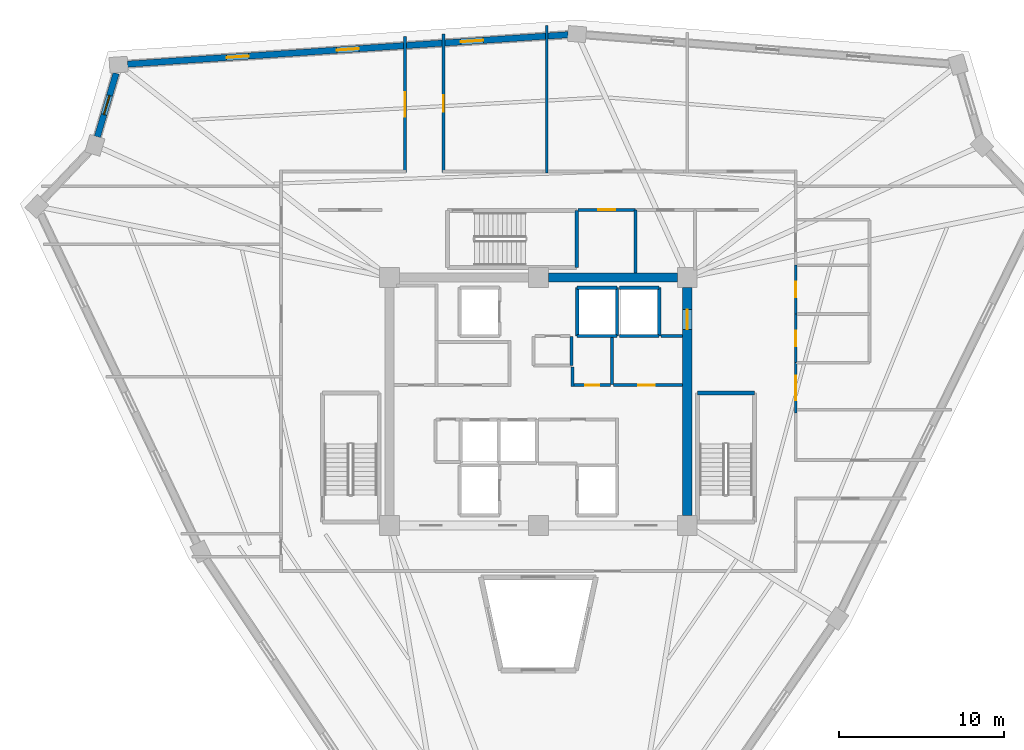
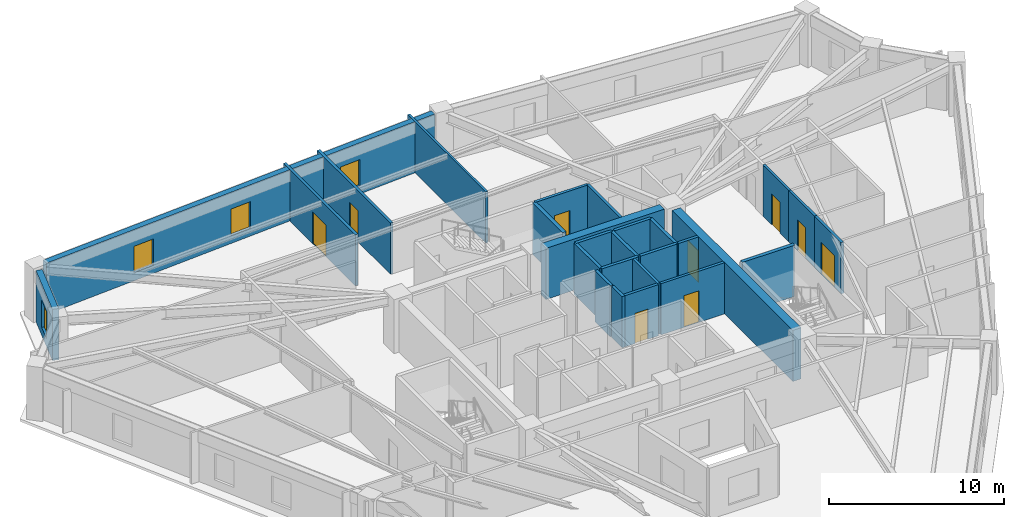
# One storey, part 6 of 8: 27 walls, 9 doors, 4 windows, 13 openings.
"""IFC4 building model written with IfcOpenShell, lengths in metres."""

from ifc_helpers import new_model, si_unit, direction, frame, frame_2d, origin, place, context, subcontext, project, spatial, rectangle, extrude, source, transform, mapped, material, layer, layer_set, type_object, element, fill, save


model = new_model("IFC4")

# Units and contexts
model_context = context("Model", 3, precision=1e-05, world=origin(), true_north=direction((0.0, 1.0)))
body_context = subcontext(model_context, "Body", "Model", "MODEL_VIEW")
ifc_project = project(units=[si_unit("LENGTHUNIT", "METRE"), si_unit("AREAUNIT", "SQUARE_METRE"), si_unit("VOLUMEUNIT", "CUBIC_METRE"), si_unit("PLANEANGLEUNIT", "RADIAN"), si_unit("MASSUNIT", "GRAM", prefix="KILO")], contexts=[model_context])

# Site, building, storey
site_placement = place(None, origin())
site = spatial("IfcSite", under=ifc_project, at=site_placement, CompositionType="ELEMENT")
building_placement = place(site_placement, origin())
building = spatial("IfcBuilding", under=site, at=building_placement, Name="Liaohun Quay Tower", CompositionType="ELEMENT")
storey_placement = place(building_placement, frame((0.0, 0.0, 301.5)))
storey = spatial("IfcBuildingStorey", under=building, at=storey_placement, Name="L78", CompositionType="ELEMENT", Elevation=301.5)

# Wall
ifc_material_1 = material(Name="Concrete C50", Category="concrete")
ifc_layer_1 = layer(ifc_material_1, 0.550048828125, Name="Concrete C50", Category="concrete")
ifc_layer_set_1 = layer_set([ifc_layer_1], Name="Concrete C50")
wall_type_1 = type_object("IfcWallType", Name="WAL-COR-Z4", PredefinedType="SHEAR", material=ifc_layer_set_1)
wall_1_placement = place(storey_placement, frame((60.60009765625, 61.5, 0.0), z_axis=(0.0, 0.0, 1.0), x_axis=(1.0, 0.0, 0.0)))
element("IfcWall", 1, at=wall_1_placement, inside=storey, type_object=wall_type_1, Name="L78 Central Core Shear Wall N-E", PredefinedType="SHEAR", context=body_context, shape_type="SweptSolid", body=[
    extrude(rectangle(XDim=7.7998046875, YDim=0.550048828125, at=frame_2d((3.89990234375, 0.0))), origin(), (0.0, 0.0, 1.0), 3.570068359375),
])

# Wall, opening, door
wall_2_placement = place(storey_placement, frame((69.0, 60.89990234375, 0.0), z_axis=(0.0, 0.0, 1.0), x_axis=(0.0, -1.0, 0.0)))
wall_2 = element("IfcWall", 2, at=wall_2_placement, inside=storey, type_object=wall_type_1, Name="L78 Central Core Shear Wall E", PredefinedType="SHEAR", context=body_context, shape_type="SweptSolid", body=[
    extrude(rectangle(XDim=13.7998046875, YDim=0.550048828125, at=frame_2d((6.89990234375, 0.0))), origin(), (0.0, 0.0, 1.0), 3.570068359375),
])
shared_shape_1 = source(origin(), body_context, "Body", "SweptSolid", [
    extrude(rectangle(XDim=1.199951171875, YDim=2.199951171875, at=frame_2d((0.60009765625, 1.10009765625))), frame((0.0, 0.284912109375, 0.0), z_axis=(0.0, -1.0, 0.0), x_axis=(1.0, 0.0, 0.0)), (0.0, 0.0, 1.0), 0.570068359375),
])
opening_1_placement = place(wall_2_placement, frame((1.35009765625, 0.0, 0.0)))
opening_1 = element("IfcOpeningElement", 3, at=opening_1_placement, cuts=wall_2, Name="Opening SD1", PredefinedType="OPENING", context=body_context, shape_type="MappedRepresentation", body=[
    mapped(shared_shape_1, transform((0.0, 0.0, 0.0), x_axis=(1.0, 0.0, 0.0), y_axis=(0.0, 1.0, 0.0), z_axis=(0.0, 0.0, 1.0), scale=1.0)),
])
ifc_material_2 = material(Name="Galvanised steel fire door", Category="steel")
door_type_1 = type_object("IfcDoorType", Name="DOR-STR-1200", OperationType="NOTDEFINED", PredefinedType="DOOR", material=ifc_material_2)
shared_shape_2 = source(origin(), body_context, "Body", "SweptSolid", [
    extrude(rectangle(XDim=1.199951171875, YDim=2.199951171875, at=frame_2d((0.60009765625, 1.10009765625))), frame((0.0, 0.02490234375, 0.0), z_axis=(0.0, -1.0, 0.0), x_axis=(1.0, 0.0, 0.0)), (0.0, 0.0, 1.0), 0.050048828125),
])
door_1_placement = place(opening_1_placement, origin())
door_1 = element("IfcDoor", 4, at=door_1_placement, inside=storey, type_object=door_type_1, Name="L78 North-East Core Lobby Smokeproof Door", OperationType="SINGLE_SWING_LEFT", OverallHeight=2.199951171875, OverallWidth=1.199951171875, PredefinedType="DOOR", context=body_context, shape_type="MappedRepresentation", body=[
    mapped(shared_shape_2, transform((0.0, 0.0, 0.0), x_axis=(1.0, 0.0, 0.0), y_axis=(0.0, 1.0, 0.0), z_axis=(0.0, 0.0, 1.0), scale=1.0)),
])
fill(opening_1, door_1)

# Wall, openings, windows
ifc_material_3 = material(Name="Precast concrete C50 insulated sandwich", Category="concrete")
ifc_layer_2 = layer(ifc_material_3, 0.3798828125, Name="Precast concrete C50 insulated sandwich", Category="concrete")
ifc_layer_set_2 = layer_set([ifc_layer_2], Name="Precast concrete C50 insulated sandwich")
wall_type_2 = type_object("IfcWallType", Name="WAL-EXT-Z34", PredefinedType="SOLIDWALL", material=ifc_layer_set_2)
wall_3_placement = place(storey_placement, frame((61.797119140625, 76.169921875, 0.0), z_axis=(0.0, 0.0, 1.0), x_axis=(-0.99777170169, -0.066720546358, 0.0)))
wall_3 = element("IfcWall", 5, at=wall_3_placement, inside=storey, type_object=wall_type_2, Name="L78 Brutalist Precast Pier Wall 07", PredefinedType="SOLIDWALL", context=body_context, shape_type="SweptSolid", body=[
    extrude(rectangle(XDim=26.693603515625, YDim=0.3798828125, at=frame_2d((13.3466796875, 0.0))), origin(), (0.0, 0.0, 1.0), 3.570068359375),
])
shared_shape_3 = source(origin(), body_context, "Body", "SweptSolid", [
    extrude(rectangle(XDim=1.35009765625, YDim=1.85009765625, at=frame_2d((0.675048828125, 0.925048828125))), frame((0.0, 0.199951171875, 0.0), z_axis=(0.0, -1.0, 0.0), x_axis=(1.0, 0.0, 0.0)), (0.0, 0.0, 1.0), 0.39990234375),
])
opening_2_placement = place(wall_3_placement, frame((5.14794921875, 0.0, 0.550048828125)))
opening_2 = element("IfcOpeningElement", 6, at=opening_2_placement, cuts=wall_3, Name="Opening W04", PredefinedType="OPENING", context=body_context, shape_type="MappedRepresentation", body=[
    mapped(shared_shape_3, transform((0.0, 0.0, 0.0), x_axis=(1.0, 0.0, 0.0), y_axis=(0.0, 1.0, 0.0), z_axis=(0.0, 0.0, 1.0), scale=1.0)),
])
opening_3_placement = place(wall_3_placement, frame((12.672119140625, 0.0, 0.550048828125)))
opening_3 = element("IfcOpeningElement", 7, at=opening_3_placement, cuts=wall_3, Name="Opening W04", PredefinedType="OPENING", context=body_context, shape_type="MappedRepresentation", body=[
    mapped(shared_shape_3, transform((0.0, 0.0, 0.0), x_axis=(1.0, 0.0, 0.0), y_axis=(0.0, 1.0, 0.0), z_axis=(0.0, 0.0, 1.0), scale=1.0)),
])
opening_4_placement = place(wall_3_placement, frame((19.344970703125, 0.0, 0.550048828125)))
opening_4 = element("IfcOpeningElement", 8, at=opening_4_placement, cuts=wall_3, Name="Opening W04", PredefinedType="OPENING", context=body_context, shape_type="MappedRepresentation", body=[
    mapped(shared_shape_3, transform((0.0, 0.0, 0.0), x_axis=(1.0, 0.0, 0.0), y_axis=(0.0, 1.0, 0.0), z_axis=(0.0, 0.0, 1.0), scale=1.0)),
])
ifc_material_4 = material(Name="Triple Low-E argon glazing in thermally broken aluminium", Category="aluminium")
window_type_1 = type_object("IfcWindowType", Name="WIN-PUN-Z4", PartitioningType="SINGLE_PANEL", PredefinedType="WINDOW", material=ifc_material_4)
shared_shape_4 = source(origin(), body_context, "Body", "SweptSolid", [
    extrude(rectangle(XDim=1.35009765625, YDim=1.85009765625, at=frame_2d((0.675048828125, 0.925048828125))), frame((0.0, 0.030029296875, 0.0), z_axis=(0.0, -1.0, 0.0), x_axis=(1.0, 0.0, 0.0)), (0.0, 0.0, 1.0), 0.06005859375),
])
window_1_placement = place(opening_2_placement, origin())
window_1 = element("IfcWindow", 9, at=window_1_placement, inside=storey, type_object=window_type_1, Name="L78 Recessed Cold-Climate Punched Window 07-1", OverallHeight=1.85009765625, OverallWidth=1.35009765625, PartitioningType="SINGLE_PANEL", PredefinedType="WINDOW", context=body_context, shape_type="MappedRepresentation", body=[
    mapped(shared_shape_4, transform((0.0, 0.0, 0.0), x_axis=(1.0, 0.0, 0.0), y_axis=(0.0, 1.0, 0.0), z_axis=(0.0, 0.0, 1.0), scale=1.0)),
])
fill(opening_2, window_1)
window_2_placement = place(opening_3_placement, origin())
window_2 = element("IfcWindow", 10, at=window_2_placement, inside=storey, type_object=window_type_1, Name="L78 Recessed Cold-Climate Punched Window 07-2", OverallHeight=1.85009765625, OverallWidth=1.35009765625, PartitioningType="SINGLE_PANEL", PredefinedType="WINDOW", context=body_context, shape_type="MappedRepresentation", body=[
    mapped(shared_shape_4, transform((0.0, 0.0, 0.0), x_axis=(1.0, 0.0, 0.0), y_axis=(0.0, 1.0, 0.0), z_axis=(0.0, 0.0, 1.0), scale=1.0)),
])
fill(opening_3, window_2)
window_3_placement = place(opening_4_placement, origin())
window_3 = element("IfcWindow", 11, at=window_3_placement, inside=storey, type_object=window_type_1, Name="L78 Recessed Cold-Climate Punched Window 07-3", OverallHeight=1.85009765625, OverallWidth=1.35009765625, PartitioningType="SINGLE_PANEL", PredefinedType="WINDOW", context=body_context, shape_type="MappedRepresentation", body=[
    mapped(shared_shape_4, transform((0.0, 0.0, 0.0), x_axis=(1.0, 0.0, 0.0), y_axis=(0.0, 1.0, 0.0), z_axis=(0.0, 0.0, 1.0), scale=1.0)),
])
fill(opening_4, window_3)

# Wall, opening, window
wall_4_placement = place(storey_placement, frame((34.470947265625, 73.8349609375, 0.0), z_axis=(0.0, 0.0, 1.0), x_axis=(-0.282483550301, -0.959272142726, 0.0)))
wall_4 = element("IfcWall", 12, at=wall_4_placement, inside=storey, type_object=wall_type_2, Name="L78 Brutalist Precast Pier Wall 08", PredefinedType="SOLIDWALL", context=body_context, shape_type="SweptSolid", body=[
    extrude(rectangle(XDim=3.999755859375, YDim=0.3798828125, at=frame_2d((2.0, 0.0))), origin(), (0.0, 0.0, 1.0), 3.570068359375),
])
shared_shape_5 = source(origin(), body_context, "Body", "SweptSolid", [
    extrude(rectangle(XDim=1.199951171875, YDim=1.89990234375, at=frame_2d((0.60009765625, 0.949951171875))), frame((0.0, 0.199951171875, 0.0), z_axis=(0.0, -1.0, 0.0), x_axis=(1.0, 0.0, 0.0)), (0.0, 0.0, 1.0), 0.39990234375),
])
opening_5_placement = place(wall_4_placement, frame((1.39990234375, 0.0, 0.550048828125)))
opening_5 = element("IfcOpeningElement", 13, at=opening_5_placement, cuts=wall_4, Name="Opening W05", PredefinedType="OPENING", context=body_context, shape_type="MappedRepresentation", body=[
    mapped(shared_shape_5, transform((0.0, 0.0, 0.0), x_axis=(1.0, 0.0, 0.0), y_axis=(0.0, 1.0, 0.0), z_axis=(0.0, 0.0, 1.0), scale=1.0)),
])
ifc_material_5 = material(Name="Triple Low-E corner notch glazing", Category="glass")
window_type_2 = type_object("IfcWindowType", Name="WIN-NOTCH", PartitioningType="SINGLE_PANEL", PredefinedType="WINDOW", material=ifc_material_5)
shared_shape_6 = source(origin(), body_context, "Body", "SweptSolid", [
    extrude(rectangle(XDim=1.199951171875, YDim=1.89990234375, at=frame_2d((0.60009765625, 0.949951171875))), frame((0.0, 0.030029296875, 0.0), z_axis=(0.0, -1.0, 0.0), x_axis=(1.0, 0.0, 0.0)), (0.0, 0.0, 1.0), 0.06005859375),
])
window_4_placement = place(opening_5_placement, origin())
window_4 = element("IfcWindow", 14, at=window_4_placement, inside=storey, type_object=window_type_2, Name="L78 Corner Notch Window W05-08", OverallHeight=1.89990234375, OverallWidth=1.199951171875, PartitioningType="SINGLE_PANEL", PredefinedType="WINDOW", context=body_context, shape_type="MappedRepresentation", body=[
    mapped(shared_shape_6, transform((0.0, 0.0, 0.0), x_axis=(1.0, 0.0, 0.0), y_axis=(0.0, 1.0, 0.0), z_axis=(0.0, 0.0, 1.0), scale=1.0)),
])
fill(opening_5, window_4)

# Wall, opening, door
ifc_material_6 = material(Name="Autoclaved aerated concrete blockwork", Category="masonry")
ifc_layer_3 = layer(ifc_material_6, 0.179931640625, Name="Autoclaved aerated concrete blockwork", Category="masonry")
ifc_layer_set_3 = layer_set([ifc_layer_3], Name="Autoclaved aerated concrete blockwork")
wall_type_3 = type_object("IfcWallType", Name="WAL-PRT-COR", PredefinedType="PARTITIONING", material=ifc_layer_set_3)
wall_5_placement = place(storey_placement, frame((62.139892578125, 54.97998046875, 0.0), z_axis=(0.0, 0.0, 1.0), x_axis=(1.0, 0.0, 0.0)))
wall_5 = element("IfcWall", 15, at=wall_5_placement, inside=storey, type_object=wall_type_3, Name="L78 Interior Partition Wall 004", PredefinedType="PARTITIONING", context=body_context, shape_type="SweptSolid", body=[
    extrude(rectangle(XDim=2.22021484375, YDim=0.179931640625, at=frame_2d((1.110107421875, 0.0))), origin(), (0.0, 0.0, 1.0), 3.570068359375),
])
shared_shape_7 = source(origin(), body_context, "Body", "SweptSolid", [
    extrude(rectangle(XDim=0.85009765625, YDim=2.10009765625, at=frame_2d((0.425048828125, 1.050048828125))), frame((0.0, 0.099853515625, 0.0), z_axis=(0.0, -1.0, 0.0), x_axis=(1.0, 0.0, 0.0)), (0.0, 0.0, 1.0), 0.199951171875),
])
opening_6_placement = place(wall_5_placement, frame((0.68505859375, 0.0, 0.0)))
opening_6 = element("IfcOpeningElement", 16, at=opening_6_placement, cuts=wall_5, Name="Opening AD1", PredefinedType="OPENING", context=body_context, shape_type="MappedRepresentation", body=[
    mapped(shared_shape_7, transform((0.0, 0.0, 0.0), x_axis=(1.0, 0.0, 0.0), y_axis=(0.0, 1.0, 0.0), z_axis=(0.0, 0.0, 1.0), scale=1.0)),
])
ifc_material_7 = material(Name="Steel riser inspection fire door", Category="steel")
door_type_2 = type_object("IfcDoorType", Name="DOR-SHF-850", OperationType="NOTDEFINED", PredefinedType="DOOR", material=ifc_material_7)
shared_shape_8 = source(origin(), body_context, "Body", "SweptSolid", [
    extrude(rectangle(XDim=0.85009765625, YDim=2.10009765625, at=frame_2d((0.425048828125, 1.050048828125))), frame((0.0, 0.02490234375, 0.0), z_axis=(0.0, -1.0, 0.0), x_axis=(1.0, 0.0, 0.0)), (0.0, 0.0, 1.0), 0.050048828125),
])
door_2_placement = place(opening_6_placement, origin())
door_2 = element("IfcDoor", 17, at=door_2_placement, inside=storey, type_object=door_type_2, Name="L78 Core Cleaner Store Door", OperationType="SINGLE_SWING_RIGHT", OverallHeight=2.10009765625, OverallWidth=0.85009765625, PredefinedType="DOOR", context=body_context, shape_type="MappedRepresentation", body=[
    mapped(shared_shape_8, transform((0.0, 0.0, 0.0), x_axis=(1.0, 0.0, 0.0), y_axis=(0.0, 1.0, 0.0), z_axis=(0.0, 0.0, 1.0), scale=1.0)),
])
fill(opening_6, door_2)

wall_6_placement = place(storey_placement, frame((64.5400390625, 54.97998046875, 0.0), z_axis=(0.0, 0.0, 1.0), x_axis=(1.0, 0.0, 0.0)))
wall_6 = element("IfcWall", 18, at=wall_6_placement, inside=storey, type_object=wall_type_3, Name="L78 Interior Partition Wall 005", PredefinedType="PARTITIONING", context=body_context, shape_type="SweptSolid", body=[
    extrude(rectangle(XDim=4.18505859375, YDim=0.179931640625, at=frame_2d((2.092529296875, 0.0))), origin(), (0.0, 0.0, 1.0), 3.570068359375),
])
shared_shape_9 = source(origin(), body_context, "Body", "SweptSolid", [
    extrude(rectangle(XDim=1.0, YDim=2.199951171875, at=frame_2d((0.5, 1.10009765625))), frame((0.0, 0.099853515625, 0.0), z_axis=(0.0, -1.0, 0.0), x_axis=(1.0, 0.0, 0.0)), (0.0, 0.0, 1.0), 0.199951171875),
])
opening_7_placement = place(wall_6_placement, frame((1.4951171875, 0.0, 0.0)))
opening_7 = element("IfcOpeningElement", 19, at=opening_7_placement, cuts=wall_6, Name="Opening OD1", PredefinedType="OPENING", context=body_context, shape_type="MappedRepresentation", body=[
    mapped(shared_shape_9, transform((0.0, 0.0, 0.0), x_axis=(1.0, 0.0, 0.0), y_axis=(0.0, 1.0, 0.0), z_axis=(0.0, 0.0, 1.0), scale=1.0)),
])
ifc_material_8 = material(Name="Solid-core oak veneer timber leaf in steel frame", Category="steel")
door_type_3 = type_object("IfcDoorType", Name="DOR-OFF-1000", OperationType="NOTDEFINED", PredefinedType="DOOR", material=ifc_material_8)
shared_shape_10 = source(origin(), body_context, "Body", "SweptSolid", [
    extrude(rectangle(XDim=1.0, YDim=2.199951171875, at=frame_2d((0.5, 1.10009765625))), frame((0.0, 0.02490234375, 0.0), z_axis=(0.0, -1.0, 0.0), x_axis=(1.0, 0.0, 0.0)), (0.0, 0.0, 1.0), 0.050048828125),
])
door_3_placement = place(opening_7_placement, origin())
door_3 = element("IfcDoor", 20, at=door_3_placement, inside=storey, type_object=door_type_3, Name="L78 Core High-Zone Pantry Room Door", OperationType="SINGLE_SWING_LEFT", OverallHeight=2.199951171875, OverallWidth=1.0, PredefinedType="DOOR", context=body_context, shape_type="MappedRepresentation", body=[
    mapped(shared_shape_10, transform((0.0, 0.0, 0.0), x_axis=(1.0, 0.0, 0.0), y_axis=(0.0, 1.0, 0.0), z_axis=(0.0, 0.0, 1.0), scale=1.0)),
])
fill(opening_7, door_3)

wall_7_placement = place(storey_placement, frame((62.389892578125, 65.580078125, 0.0), z_axis=(0.0, 0.0, 1.0), x_axis=(1.0, 0.0, 0.0)))
wall_7 = element("IfcWall", 21, at=wall_7_placement, inside=storey, type_object=wall_type_3, Name="L78 Interior Partition Wall 011", PredefinedType="PARTITIONING", context=body_context, shape_type="SweptSolid", body=[
    extrude(rectangle(XDim=3.489990234375, YDim=0.179931640625, at=frame_2d((1.7451171875, 0.0))), origin(), (0.0, 0.0, 1.0), 3.570068359375),
])
opening_8_placement = place(wall_7_placement, frame((1.2451171875, 0.0, 0.0)))
opening_8 = element("IfcOpeningElement", 22, at=opening_8_placement, cuts=wall_7, Name="Opening OD1", PredefinedType="OPENING", context=body_context, shape_type="MappedRepresentation", body=[
    mapped(shared_shape_9, transform((0.0, 0.0, 0.0), x_axis=(1.0, 0.0, 0.0), y_axis=(0.0, 1.0, 0.0), z_axis=(0.0, 0.0, 1.0), scale=1.0)),
])
door_4_placement = place(opening_8_placement, origin())
door_4 = element("IfcDoor", 23, at=door_4_placement, inside=storey, type_object=door_type_3, Name="L78 North-East Archive Store Door", OperationType="SINGLE_SWING_LEFT", OverallHeight=2.199951171875, OverallWidth=1.0, PredefinedType="DOOR", context=body_context, shape_type="MappedRepresentation", body=[
    mapped(shared_shape_10, transform((0.0, 0.0, 0.0), x_axis=(1.0, 0.0, 0.0), y_axis=(0.0, 1.0, 0.0), z_axis=(0.0, 0.0, 1.0), scale=1.0)),
])
fill(opening_8, door_4)

wall_8_placement = place(storey_placement, frame((75.56005859375, 56.340087890625, 0.0), z_axis=(0.0, 0.0, 1.0), x_axis=(0.0, -1.0, 0.0)))
wall_8 = element("IfcWall", 24, at=wall_8_placement, inside=storey, type_object=wall_type_3, Name="L78 Interior Partition Wall 015", PredefinedType="PARTITIONING", context=body_context, shape_type="SweptSolid", body=[
    extrude(rectangle(XDim=3.05517578125, YDim=0.179931640625, at=frame_2d((1.527587890625, 0.0))), origin(), (0.0, 0.0, 1.0), 3.570068359375),
])
shared_shape_11 = source(origin(), body_context, "Body", "SweptSolid", [
    extrude(rectangle(XDim=1.5, YDim=2.199951171875, at=frame_2d((0.75, 1.10009765625))), frame((0.0, 0.099853515625, 0.0), z_axis=(0.0, -1.0, 0.0), x_axis=(1.0, 0.0, 0.0)), (0.0, 0.0, 1.0), 0.199951171875),
])
opening_9_placement = place(wall_8_placement, frame((0.778076171875, 0.0, 0.0)))
opening_9 = element("IfcOpeningElement", 25, at=opening_9_placement, cuts=wall_8, Name="Opening OD2", PredefinedType="OPENING", context=body_context, shape_type="MappedRepresentation", body=[
    mapped(shared_shape_11, transform((0.0, 0.0, 0.0), x_axis=(1.0, 0.0, 0.0), y_axis=(0.0, 1.0, 0.0), z_axis=(0.0, 0.0, 1.0), scale=1.0)),
])
ifc_material_9 = material(Name="Acoustic oak veneer double door")
door_type_4 = type_object("IfcDoorType", Name="DOR-OFF-1500", OperationType="DOUBLE_DOOR_SINGLE_SWING", PredefinedType="DOOR", material=ifc_material_9)
shared_shape_12 = source(origin(), body_context, "Body", "SweptSolid", [
    extrude(rectangle(XDim=1.5, YDim=2.199951171875, at=frame_2d((0.75, 1.10009765625))), frame((0.0, 0.02490234375, 0.0), z_axis=(0.0, -1.0, 0.0), x_axis=(1.0, 0.0, 0.0)), (0.0, 0.0, 1.0), 0.050048828125),
])
door_5_placement = place(opening_9_placement, origin())
door_5 = element("IfcDoor", 26, at=door_5_placement, inside=storey, type_object=door_type_4, Name="L78 Engineering Model Workshop 01 Door", OperationType="DOUBLE_DOOR_SINGLE_SWING", OverallHeight=2.199951171875, OverallWidth=1.5, PredefinedType="DOOR", context=body_context, shape_type="MappedRepresentation", body=[
    mapped(shared_shape_12, transform((0.0, 0.0, 0.0), x_axis=(1.0, 0.0, 0.0), y_axis=(0.0, 1.0, 0.0), z_axis=(0.0, 0.0, 1.0), scale=1.0)),
])
fill(opening_9, door_5)

wall_9_placement = place(storey_placement, frame((54.260009765625, 76.20703125, 0.0), z_axis=(0.0, 0.0, 1.0), x_axis=(0.0, -1.0, 0.0)))
wall_9 = element("IfcWall", 27, at=wall_9_placement, inside=storey, type_object=wall_type_3, Name="L78 Interior Partition Wall 018", PredefinedType="PARTITIONING", context=body_context, shape_type="SweptSolid", body=[
    extrude(rectangle(XDim=8.366943359375, YDim=0.179931640625, at=frame_2d((4.18359375, 0.0))), origin(), (0.0, 0.0, 1.0), 3.570068359375),
])
opening_10_placement = place(wall_9_placement, frame((3.68310546875, 0.0, 0.0)))
opening_10 = element("IfcOpeningElement", 28, at=opening_10_placement, cuts=wall_9, Name="Opening OD1", PredefinedType="OPENING", context=body_context, shape_type="MappedRepresentation", body=[
    mapped(shared_shape_9, transform((0.0, 0.0, 0.0), x_axis=(1.0, 0.0, 0.0), y_axis=(0.0, 1.0, 0.0), z_axis=(0.0, 0.0, 1.0), scale=1.0)),
])
door_6_placement = place(opening_10_placement, origin())
door_6 = element("IfcDoor", 29, at=door_6_placement, inside=storey, type_object=door_type_3, Name="L78 Project Collaboration Studio 04 Door", OperationType="SINGLE_SWING_RIGHT", OverallHeight=2.199951171875, OverallWidth=1.0, PredefinedType="DOOR", context=body_context, shape_type="MappedRepresentation", body=[
    mapped(shared_shape_10, transform((0.0, 0.0, 0.0), x_axis=(1.0, 0.0, 0.0), y_axis=(0.0, 1.0, 0.0), z_axis=(0.0, 0.0, 1.0), scale=1.0)),
])
fill(opening_10, door_6)

wall_10_placement = place(storey_placement, frame((51.93994140625, 67.840087890625, 0.0), z_axis=(0.0, 0.0, 1.0), x_axis=(0.0, 1.0, 0.0)))
wall_10 = element("IfcWall", 30, at=wall_10_placement, inside=storey, type_object=wall_type_3, Name="L78 Interior Partition Wall 019", PredefinedType="PARTITIONING", context=body_context, shape_type="SweptSolid", body=[
    extrude(rectangle(XDim=8.2119140625, YDim=0.179931640625, at=frame_2d((4.10595703125, 0.0))), origin(), (0.0, 0.0, 1.0), 3.570068359375),
])
opening_11_placement = place(wall_10_placement, frame((3.35595703125, 0.0, 0.0)))
opening_11 = element("IfcOpeningElement", 31, at=opening_11_placement, cuts=wall_10, Name="Opening OD2", PredefinedType="OPENING", context=body_context, shape_type="MappedRepresentation", body=[
    mapped(shared_shape_11, transform((0.0, 0.0, 0.0), x_axis=(1.0, 0.0, 0.0), y_axis=(0.0, 1.0, 0.0), z_axis=(0.0, 0.0, 1.0), scale=1.0)),
])
door_7_placement = place(opening_11_placement, origin())
door_7 = element("IfcDoor", 32, at=door_7_placement, inside=storey, type_object=door_type_4, Name="L78 Client Collaboration Lounge 05 Door", OperationType="DOUBLE_DOOR_SINGLE_SWING", OverallHeight=2.199951171875, OverallWidth=1.5, PredefinedType="DOOR", context=body_context, shape_type="MappedRepresentation", body=[
    mapped(shared_shape_12, transform((0.0, 0.0, 0.0), x_axis=(1.0, 0.0, 0.0), y_axis=(0.0, 1.0, 0.0), z_axis=(0.0, 0.0, 1.0), scale=1.0)),
])
fill(opening_11, door_7)

# Walls
wall_11_placement = place(storey_placement, frame((64.449951171875, 55.02001953125, 0.0), z_axis=(0.0, 0.0, 1.0), x_axis=(0.0, 1.0, 0.0)))
element("IfcWall", 33, at=wall_11_placement, inside=storey, type_object=wall_type_3, Name="L78 Interior Partition Wall 027", PredefinedType="PARTITIONING", context=body_context, shape_type="SweptSolid", body=[
    extrude(rectangle(XDim=2.85986328125, YDim=0.179931640625, at=frame_2d((1.429931640625, 0.0))), origin(), (0.0, 0.0, 1.0), 3.570068359375),
])
wall_12_placement = place(storey_placement, frame((62.010009765625, 56.179931640625, 0.0), z_axis=(0.0, 0.0, 1.0), x_axis=(0.0, 1.0, 0.0)))
element("IfcWall", 34, at=wall_12_placement, inside=storey, type_object=wall_type_3, Name="L78 Interior Partition Wall 029", PredefinedType="PARTITIONING", context=body_context, shape_type="SweptSolid", body=[
    extrude(rectangle(XDim=1.739990234375, YDim=0.179931640625, at=frame_2d((0.8701171875, 0.0))), origin(), (0.0, 0.0, 1.0), 3.570068359375),
])
wall_13_placement = place(storey_placement, frame((65.8798828125, 61.77490234375, 0.0), z_axis=(0.0, 0.0, 1.0), x_axis=(0.0, 1.0, 0.0)))
element("IfcWall", 35, at=wall_13_placement, inside=storey, type_object=wall_type_3, Name="L78 Interior Partition Wall 038", PredefinedType="PARTITIONING", context=body_context, shape_type="SweptSolid", body=[
    extrude(rectangle(XDim=3.80517578125, YDim=0.179931640625, at=frame_2d((1.902587890625, 0.0))), origin(), (0.0, 0.0, 1.0), 3.570068359375),
])
wall_14_placement = place(storey_placement, frame((62.050048828125, 54.889892578125, 0.0), z_axis=(0.0, 0.0, 1.0), x_axis=(0.0, 1.0, 0.0)))
element("IfcWall", 36, at=wall_14_placement, inside=storey, type_object=wall_type_3, Name="L78 Interior Partition Wall 066", PredefinedType="PARTITIONING", context=body_context, shape_type="SweptSolid", body=[
    extrude(rectangle(XDim=1.2001953125, YDim=0.179931640625, at=frame_2d((0.60009765625, 0.0))), origin(), (0.0, 0.0, 1.0), 3.570068359375),
])
wall_15_placement = place(storey_placement, frame((67.39990234375, 57.949951171875, 0.0), z_axis=(0.0, 0.0, 1.0), x_axis=(1.0, 0.0, 0.0)))
element("IfcWall", 37, at=wall_15_placement, inside=storey, type_object=wall_type_3, Name="L78 Interior Partition Wall 067", PredefinedType="PARTITIONING", context=body_context, shape_type="SweptSolid", body=[
    extrude(rectangle(XDim=1.3251953125, YDim=0.179931640625, at=frame_2d((0.66259765625, 0.0))), origin(), (0.0, 0.0, 1.0), 3.570068359375),
])
ifc_material_10 = material(Name="Gypsum board on twin steel studs", Category="steel")
ifc_layer_4 = layer(ifc_material_10, 0.139892578125, Name="Gypsum board on twin steel studs", Category="steel")
ifc_layer_set_4 = layer_set([ifc_layer_4], Name="Gypsum board on twin steel studs")
wall_type_4 = type_object("IfcWallType", Name="WAL-PRT-OFF", PredefinedType="PARTITIONING", material=ifc_layer_set_4)
wall_16_placement = place(storey_placement, frame((60.5, 67.81005859375, 0.0), z_axis=(0.0, 0.0, 1.0), x_axis=(0.0, 1.0, 0.0)))
element("IfcWall", 38, at=wall_16_placement, inside=storey, type_object=wall_type_4, Name="L78 Interior Partition Wall 057", PredefinedType="PARTITIONING", context=body_context, shape_type="SweptSolid", body=[
    extrude(rectangle(XDim=8.904052734375, YDim=0.139892578125, at=frame_2d((4.4521484375, 0.0))), origin(), (0.0, 0.0, 1.0), 3.570068359375),
])

# Wall, opening, door
ifc_material_11 = material(Name="Moisture-resistant masonry blockwork", Category="masonry")
ifc_layer_5 = layer(ifc_material_11, 0.159912109375, Name="Moisture-resistant masonry blockwork", Category="masonry")
ifc_layer_set_5 = layer_set([ifc_layer_5], Name="Moisture-resistant masonry blockwork")
wall_type_5 = type_object("IfcWallType", Name="WAL-PRT-WET", PredefinedType="PARTITIONING", material=ifc_layer_set_5)
wall_17_placement = place(storey_placement, frame((75.56005859375, 56.340087890625, 0.0), z_axis=(0.0, 0.0, 1.0), x_axis=(0.0, 1.0, 0.0)))
wall_17 = element("IfcWall", 39, at=wall_17_placement, inside=storey, type_object=wall_type_5, Name="L78 Interior Partition Wall 008", PredefinedType="PARTITIONING", context=body_context, shape_type="SweptSolid", body=[
    extrude(rectangle(XDim=2.93994140625, YDim=0.159912109375, at=frame_2d((1.469970703125, 0.0))), origin(), (0.0, 0.0, 1.0), 3.570068359375),
])
shared_shape_13 = source(origin(), body_context, "Body", "SweptSolid", [
    extrude(rectangle(XDim=0.949951171875, YDim=2.14990234375, at=frame_2d((0.47509765625, 1.074951171875))), frame((0.0, 0.08984375, 0.0), z_axis=(0.0, -1.0, 0.0), x_axis=(1.0, 0.0, 0.0)), (0.0, 0.0, 1.0), 0.179931640625),
])
opening_12_placement = place(wall_17_placement, frame((0.9951171875, 0.0, 0.0)))
opening_12 = element("IfcOpeningElement", 40, at=opening_12_placement, cuts=wall_17, Name="Opening WD1", PredefinedType="OPENING", context=body_context, shape_type="MappedRepresentation", body=[
    mapped(shared_shape_13, transform((0.0, 0.0, 0.0), x_axis=(1.0, 0.0, 0.0), y_axis=(0.0, 1.0, 0.0), z_axis=(0.0, 0.0, 1.0), scale=1.0)),
])
ifc_material_12 = material(Name="Moisture-resistant laminate timber leaf", Category="wood")
door_type_5 = type_object("IfcDoorType", Name="DOR-WC-950", OperationType="NOTDEFINED", PredefinedType="DOOR", material=ifc_material_12)
shared_shape_14 = source(origin(), body_context, "Body", "SweptSolid", [
    extrude(rectangle(XDim=0.949951171875, YDim=2.14990234375, at=frame_2d((0.47509765625, 1.074951171875))), frame((0.0, 0.02490234375, 0.0), z_axis=(0.0, -1.0, 0.0), x_axis=(1.0, 0.0, 0.0)), (0.0, 0.0, 1.0), 0.050048828125),
])
door_8_placement = place(opening_12_placement, origin())
door_8 = element("IfcDoor", 41, at=door_8_placement, inside=storey, type_object=door_type_5, Name="L78 Male Restroom WC Door", OperationType="SINGLE_SWING_RIGHT", OverallHeight=2.14990234375, OverallWidth=0.949951171875, PredefinedType="DOOR", context=body_context, shape_type="MappedRepresentation", body=[
    mapped(shared_shape_14, transform((0.0, 0.0, 0.0), x_axis=(1.0, 0.0, 0.0), y_axis=(0.0, 1.0, 0.0), z_axis=(0.0, 0.0, 1.0), scale=1.0)),
])
fill(opening_12, door_8)

wall_18_placement = place(storey_placement, frame((75.56005859375, 59.280029296875, 0.0), z_axis=(0.0, 0.0, 1.0), x_axis=(0.0, 1.0, 0.0)))
wall_18 = element("IfcWall", 42, at=wall_18_placement, inside=storey, type_object=wall_type_5, Name="L78 Interior Partition Wall 009", PredefinedType="PARTITIONING", context=body_context, shape_type="SweptSolid", body=[
    extrude(rectangle(XDim=2.9599609375, YDim=0.159912109375, at=frame_2d((1.47998046875, 0.0))), origin(), (0.0, 0.0, 1.0), 3.570068359375),
])
opening_13_placement = place(wall_18_placement, frame((1.0048828125, 0.0, 0.0)))
opening_13 = element("IfcOpeningElement", 43, at=opening_13_placement, cuts=wall_18, Name="Opening WD1", PredefinedType="OPENING", context=body_context, shape_type="MappedRepresentation", body=[
    mapped(shared_shape_13, transform((0.0, 0.0, 0.0), x_axis=(1.0, 0.0, 0.0), y_axis=(0.0, 1.0, 0.0), z_axis=(0.0, 0.0, 1.0), scale=1.0)),
])
door_9_placement = place(opening_13_placement, origin())
door_9 = element("IfcDoor", 44, at=door_9_placement, inside=storey, type_object=door_type_5, Name="L78 Female Restroom WC Door", OperationType="SINGLE_SWING_LEFT", OverallHeight=2.14990234375, OverallWidth=0.949951171875, PredefinedType="DOOR", context=body_context, shape_type="MappedRepresentation", body=[
    mapped(shared_shape_14, transform((0.0, 0.0, 0.0), x_axis=(1.0, 0.0, 0.0), y_axis=(0.0, 1.0, 0.0), z_axis=(0.0, 0.0, 1.0), scale=1.0)),
])
fill(opening_13, door_9)

# Walls
ifc_layer_6 = layer(ifc_material_1, 0.239990234375, Name="Concrete C50", Category="concrete")
ifc_layer_set_6 = layer_set([ifc_layer_6], Name="Concrete C50")
wall_type_6 = type_object("IfcWallType", Name="WAL-SHF-200", PredefinedType="SOLIDWALL", material=ifc_layer_set_6)
for number, where, z_axis, x_axis, name in (
    (45, (73.06005859375, 54.52001953125, 0.0), (0.0, 0.0, 1.0), (-1.0, 0.0, 0.0), "L78 Stairwell ST-2 Structural Core Wall N"),
    (46, (62.320068359375, 62.10009765625, 0.0), (0.0, 0.0, 1.0), (0.0, 1.0, 0.0), "L78 Stairwell ST-3 Structural Core Wall E"),
):
    element("IfcWall", number, at=place(storey_placement, frame(where, z_axis=z_axis, x_axis=x_axis)), inside=storey, type_object=wall_type_6, Name=name, PredefinedType="SOLIDWALL", context=body_context, shape_type="SweptSolid", body=[
        extrude(rectangle(XDim=3.43994140625, YDim=0.239990234375, at=frame_2d((1.719970703125, 0.0))), origin(), (0.0, 0.0, 1.0), 3.570068359375),
    ])
wall_19_placement = place(storey_placement, frame((62.35009765625, 57.949951171875, 0.0), z_axis=(0.0, 0.0, 1.0), x_axis=(1.0, 0.0, 0.0)))
element("IfcWall", 47, at=wall_19_placement, inside=storey, type_object=wall_type_6, Name="L78 Lift OB-01 Hoistway Wall S", PredefinedType="SOLIDWALL", context=body_context, shape_type="SweptSolid", body=[
    extrude(rectangle(XDim=2.39990234375, YDim=0.199951171875, at=frame_2d((1.199951171875, 0.0))), origin(), (0.0, 0.0, 1.0), 3.570068359375),
])
wall_20_placement = place(storey_placement, frame((64.75, 57.949951171875, 0.0), z_axis=(0.0, 0.0, 1.0), x_axis=(0.0, 1.0, 0.0)))
element("IfcWall", 48, at=wall_20_placement, inside=storey, type_object=wall_type_6, Name="L78 Lift OB-01 Hoistway Wall E", PredefinedType="SOLIDWALL", context=body_context, shape_type="SweptSolid", body=[
    extrude(rectangle(XDim=2.929931640625, YDim=0.199951171875, at=frame_2d((1.46484375, 0.0))), origin(), (0.0, 0.0, 1.0), 3.570068359375),
])
wall_21_placement = place(storey_placement, frame((64.75, 60.8798828125, 0.0), z_axis=(0.0, 0.0, 1.0), x_axis=(-1.0, 0.0, 0.0)))
element("IfcWall", 49, at=wall_21_placement, inside=storey, type_object=wall_type_6, Name="L78 Lift OB-01 Hoistway Wall N", PredefinedType="SOLIDWALL", context=body_context, shape_type="SweptSolid", body=[
    extrude(rectangle(XDim=2.39990234375, YDim=0.199951171875, at=frame_2d((1.199951171875, 0.0))), origin(), (0.0, 0.0, 1.0), 3.570068359375),
])
wall_22_placement = place(storey_placement, frame((62.35009765625, 60.8798828125, 0.0), z_axis=(0.0, 0.0, 1.0), x_axis=(0.0, -1.0, 0.0)))
element("IfcWall", 50, at=wall_22_placement, inside=storey, type_object=wall_type_6, Name="L78 Lift OB-01 Hoistway Wall W", PredefinedType="SOLIDWALL", context=body_context, shape_type="SweptSolid", body=[
    extrude(rectangle(XDim=2.929931640625, YDim=0.199951171875, at=frame_2d((1.46484375, 0.0))), origin(), (0.0, 0.0, 1.0), 3.570068359375),
])
wall_23_placement = place(storey_placement, frame((64.89990234375, 57.949951171875, 0.0), z_axis=(0.0, 0.0, 1.0), x_axis=(1.0, 0.0, 0.0)))
element("IfcWall", 51, at=wall_23_placement, inside=storey, type_object=wall_type_6, Name="L78 Lift OB-02 Hoistway Wall S", PredefinedType="SOLIDWALL", context=body_context, shape_type="SweptSolid", body=[
    extrude(rectangle(XDim=2.400146484375, YDim=0.199951171875, at=frame_2d((1.2001953125, 0.0))), origin(), (0.0, 0.0, 1.0), 3.570068359375),
])
wall_24_placement = place(storey_placement, frame((67.300048828125, 57.949951171875, 0.0), z_axis=(0.0, 0.0, 1.0), x_axis=(0.0, 1.0, 0.0)))
element("IfcWall", 52, at=wall_24_placement, inside=storey, type_object=wall_type_6, Name="L78 Lift OB-02 Hoistway Wall E", PredefinedType="SOLIDWALL", context=body_context, shape_type="SweptSolid", body=[
    extrude(rectangle(XDim=2.929931640625, YDim=0.199951171875, at=frame_2d((1.46484375, 0.0))), origin(), (0.0, 0.0, 1.0), 3.570068359375),
])
wall_25_placement = place(storey_placement, frame((67.300048828125, 60.8798828125, 0.0), z_axis=(0.0, 0.0, 1.0), x_axis=(-1.0, 0.0, 0.0)))
element("IfcWall", 53, at=wall_25_placement, inside=storey, type_object=wall_type_6, Name="L78 Lift OB-02 Hoistway Wall N", PredefinedType="SOLIDWALL", context=body_context, shape_type="SweptSolid", body=[
    extrude(rectangle(XDim=2.400146484375, YDim=0.199951171875, at=frame_2d((1.2001953125, 0.0))), origin(), (0.0, 0.0, 1.0), 3.570068359375),
])

save(model, "model.ifc")
